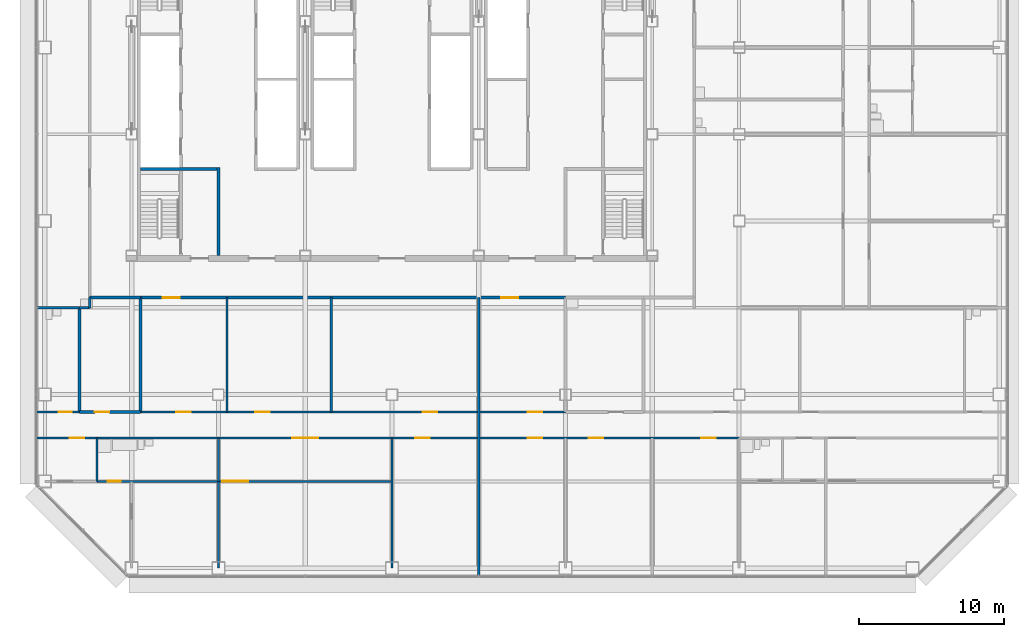
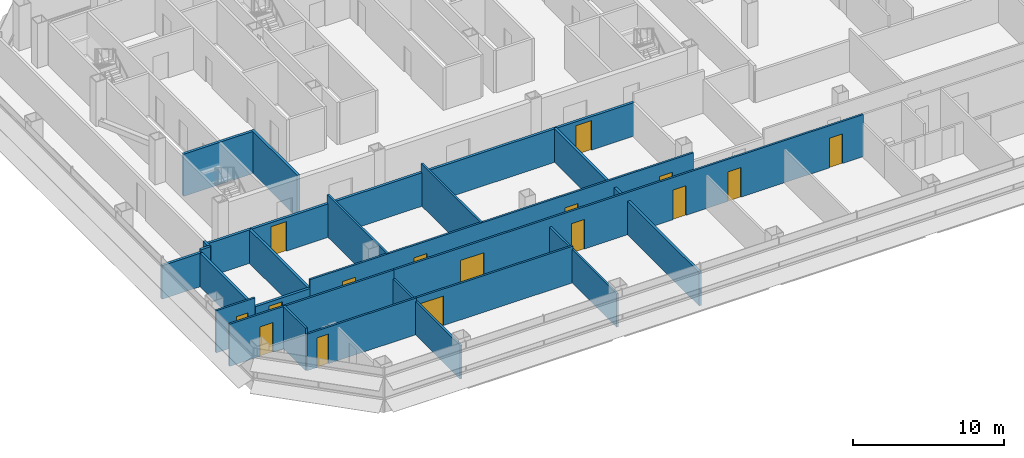
# One storey, part 20 of 27: 24 walls, 16 doors, 16 openings.
"""IFC4 building model written with IfcOpenShell, lengths in metres."""

import ifcopenshell
import ifcopenshell.guid

model = None  # the IFC model being written
_history = None  # IfcOwnerHistory: only IFC2X3 demands one
_inside = {}  # id of a spatial element -> (the spatial element, [elements in it])
_under = {}  # id of a project, library or spatial element -> (it, [spatial elements below it])
_declared = {}  # id of a project -> (the project, [libraries it declares])
_typed = {}  # id of a type object -> (the type object, [elements of that type])
_made_of = {}  # id of a material, layer set ... -> (it, [elements and type objects made of it])


def new_model(schema):
    """Start an empty IFC model of exactly this schema.

    Asked for "IFC4X3", IfcOpenShell would pick the latest addendum, in which some entities
    have other attributes; the version numbers below select the first issue.
    IFC2X3 requires an IfcOwnerHistory on every rooted entity: one is made here for all.
    """
    global model, _history
    if schema == "IFC4X3":
        model = ifcopenshell.file(schema_version=(4, 3, 0, 0))
    else:
        model = ifcopenshell.file(schema=schema)
    _inside.clear()
    _under.clear()
    _declared.clear()
    _typed.clear()
    _made_of.clear()
    _history = None
    if model.schema == "IFC2X3":
        org = make("IfcOrganization", Name="unknown")
        user = make(
            "IfcPersonAndOrganization",
            ThePerson=make("IfcPerson", FamilyName="unknown"),
            TheOrganization=org,
        )
        app = make(
            "IfcApplication",
            ApplicationDeveloper=org,
            Version="unknown",
            ApplicationFullName="unknown",
            ApplicationIdentifier="unknown",
        )
        _history = make(
            "IfcOwnerHistory",
            OwningUser=user,
            OwningApplication=app,
            ChangeAction="ADDED",
            CreationDate=0,
        )
    return model


def make(cls, **values):
    """One entity of the class cls with the attributes given. An attribute that is None is left unset."""
    return model.create_entity(
        cls, **{name: value for name, value in values.items() if value is not None}
    )


def rooted(cls, **values):
    """An entity with a GlobalId (a new one), such as an element, a storey or a relation."""
    return make(cls, GlobalId=ifcopenshell.guid.new(), OwnerHistory=_history, **values)


def si_unit(unit_type, name, prefix=None):
    """IfcSIUnit, for example si_unit("LENGTHUNIT", "METRE", prefix="MILLI")."""
    return make("IfcSIUnit", UnitType=unit_type, Prefix=prefix, Name=name)


def assignment(units):
    """IfcUnitAssignment: the units of a project."""
    return None if units is None else make("IfcUnitAssignment", Units=units)


def point(xyz):
    """IfcCartesianPoint."""
    return None if xyz is None else make("IfcCartesianPoint", Coordinates=xyz)


def direction(xyz):
    """IfcDirection."""
    return None if xyz is None else make("IfcDirection", DirectionRatios=xyz)


def frame(location, z_axis=None, x_axis=None):
    """IfcAxis2Placement3D, a coordinate frame: its origin and axes. An axis left out is left unset."""
    return make(
        "IfcAxis2Placement3D",
        Location=point(location),
        Axis=direction(z_axis),
        RefDirection=direction(x_axis),
    )


def frame_2d(location, x_axis=None):
    """IfcAxis2Placement2D, a coordinate frame in the plane: its origin and x axis."""
    return make(
        "IfcAxis2Placement2D", Location=point(location), RefDirection=direction(x_axis)
    )


def origin():
    """The frame at (0, 0, 0) with its axes left unset."""
    return frame((0.0, 0.0, 0.0))


def place(relative_to, where):
    """IfcLocalPlacement: puts the frame where relative to a parent placement (None: the world)."""
    return make(
        "IfcLocalPlacement", PlacementRelTo=relative_to, RelativePlacement=where
    )


def context(
    kind, dimensions, precision=None, world=None, true_north=None, identifier=None
):
    """IfcGeometricRepresentationContext, for example the 3D "Model" context."""
    return make(
        "IfcGeometricRepresentationContext",
        ContextIdentifier=identifier,
        ContextType=kind,
        CoordinateSpaceDimension=dimensions,
        Precision=precision,
        WorldCoordinateSystem=world,
        TrueNorth=true_north,
    )


def subcontext(parent, identifier, kind, view, scale=None):
    """IfcGeometricRepresentationSubContext, for example "Body" below "Model"."""
    return make(
        "IfcGeometricRepresentationSubContext",
        ContextIdentifier=identifier,
        ContextType=kind,
        ParentContext=parent,
        TargetScale=scale,
        TargetView=view,
    )


def project(units=None, contexts=None):
    """IfcProject with its units and contexts."""
    return rooted(
        "IfcProject",
        Name="project",
        RepresentationContexts=contexts,
        UnitsInContext=assignment(units),
    )


def spatial(cls, under=None, at=None, **own):
    """A site, building, storey or space (cls), placed at a placement, below another one or the project."""
    s = rooted(cls, ObjectPlacement=at, **own)
    if under is not None:
        _under.setdefault(under.id(), (under, []))[1].append(s)
    return s


def profile(cls, at=None, kind="AREA", **sizes):
    """A parametric profile (cls). Its sizes go by their IFC names, for example OverallWidth=200.0."""
    return make(cls, ProfileType=kind, Position=at, **sizes)


def rectangle(**sizes):
    """IfcRectangleProfileDef."""
    return profile("IfcRectangleProfileDef", **sizes)


def extrude(swept, where, along, depth):
    """IfcExtrudedAreaSolid: the profile swept, set in the frame where, extruded along a direction by depth."""
    return make(
        "IfcExtrudedAreaSolid",
        SweptArea=swept,
        Position=where,
        ExtrudedDirection=direction(along),
        Depth=depth,
    )


def shape(context_of_items, identifier, shape_type, items):
    """IfcShapeRepresentation: the items that make up one representation, for example the "Body"."""
    return make(
        "IfcShapeRepresentation",
        ContextOfItems=context_of_items,
        RepresentationIdentifier=identifier,
        RepresentationType=shape_type,
        Items=items,
    )


def material(Name=None, Category=None):
    """IfcMaterial."""
    return make("IfcMaterial", Name=Name, Category=Category)


def layer(
    of_material, thickness, ventilated=None, Name=None, Category=None, Priority=None
):
    """IfcMaterialLayer: one layer of a wall or slab, of a material (None: an air gap)."""
    return make(
        "IfcMaterialLayer",
        Material=of_material,
        LayerThickness=thickness,
        IsVentilated=ventilated,
        Name=Name,
        Category=Category,
        Priority=Priority,
    )


def layer_set(layers, Name=None):
    """IfcMaterialLayerSet."""
    return make("IfcMaterialLayerSet", MaterialLayers=layers, LayerSetName=Name)


def made_of(thing, what):
    """Note that an element or type object is made of a material, layer set ...; save() writes the relation."""
    if what is not None:
        _made_of.setdefault(what.id(), (what, []))[1].append(thing)
    return thing


def type_object(cls, material=None, **own):
    """A type object (cls), such as IfcWallType, which elements share."""
    return made_of(rooted(cls, **own), material)


def element(
    cls,
    number,
    at=None,
    inside=None,
    cuts=None,
    type_object=None,
    material=None,
    context=None,
    identifier="Body",
    shape_type=None,
    held_by="IfcProductDefinitionShape",
    body=None,
    shapes=None,
    **own,
):
    """One element of the class cls, such as IfcWall. Its Tag is "e" and its number.

    at: its placement. inside: the storey or other place that contains it. cuts: it is an
    opening in that element (IfcRelVoidsElement). A single representation is given by context,
    identifier, shape_type and body (its items); several are given by shapes. held_by: the class
    of the entity that holds the representations. save() writes the other relations.
    """
    e = rooted(cls, Tag="e%d" % number, ObjectPlacement=at, **own)
    if body is not None:
        shapes = [shape(context, identifier, shape_type, body)]
    if shapes is not None:
        e.Representation = make(held_by, Representations=shapes)
    if inside is not None:
        _inside.setdefault(inside.id(), (inside, []))[1].append(e)
    if cuts is not None:
        rooted(
            "IfcRelVoidsElement", RelatingBuildingElement=cuts, RelatedOpeningElement=e
        )
    if type_object is not None:
        _typed.setdefault(type_object.id(), (type_object, []))[1].append(e)
    return made_of(e, material)


def fill(opening, filler):
    """IfcRelFillsElement: the door or window that sits in an opening."""
    return rooted(
        "IfcRelFillsElement",
        RelatingOpeningElement=opening,
        RelatedBuildingElement=filler,
    )


def aggregate(whole, parts):
    """IfcRelAggregates: a whole, such as a stair, and the parts it consists of."""
    return rooted("IfcRelAggregates", RelatingObject=whole, RelatedObjects=parts)


def save(model, path):
    """Write the relations noted so far, then the file.

    IfcRelAggregates (storeys below a building ...), IfcRelContainedInSpatialStructure (elements
    in a storey), IfcRelDefinesByType, IfcRelAssociatesMaterial and IfcRelDeclares: one each for
    every whole, place, type object, material and project.
    """
    for whole, parts in _under.values():
        aggregate(whole, parts)
    for where, things in _inside.values():
        rooted(
            "IfcRelContainedInSpatialStructure",
            RelatedElements=things,
            RelatingStructure=where,
        )
    for kind, things in _typed.values():
        rooted("IfcRelDefinesByType", RelatedObjects=things, RelatingType=kind)
    for what, things in _made_of.values():
        rooted("IfcRelAssociatesMaterial", RelatedObjects=things, RelatingMaterial=what)
    for by, libraries in _declared.values():
        rooted("IfcRelDeclares", RelatingContext=by, RelatedDefinitions=libraries)
    model.write(path)


model = new_model("IFC4")

# Units and contexts
model_context = context("Model", 3, precision=1e-05, world=origin(), true_north=direction((0.0, 1.0)))
body_context = subcontext(model_context, "Body", "Model", "MODEL_VIEW")
ifc_project = project(units=[si_unit("LENGTHUNIT", "METRE"), si_unit("AREAUNIT", "SQUARE_METRE"), si_unit("VOLUMEUNIT", "CUBIC_METRE"), si_unit("PLANEANGLEUNIT", "RADIAN"), si_unit("MASSUNIT", "GRAM", prefix="KILO")], contexts=[model_context])

# Site, building, storey
site_placement = place(None, origin())
site = spatial("IfcSite", under=ifc_project, at=site_placement, CompositionType="ELEMENT")
building_placement = place(site_placement, origin())
building = spatial("IfcBuilding", under=site, at=building_placement, Name="Sorahane Residences", CompositionType="ELEMENT")
storey_placement = place(building_placement, frame((0.0, 0.0, 75.0)))
storey = spatial("IfcBuildingStorey", under=building, at=storey_placement, Name="L15", CompositionType="ELEMENT", Elevation=75.0)

# Wall
ifc_material_1 = material(Name="Concrete blockwork C20 wall", Category="masonry")
ifc_layer_1 = layer(ifc_material_1, 0.199951171875)
ifc_layer_set_1 = layer_set([ifc_layer_1], Name="Corridor wall 200 EI 120")
wall_type_1 = type_object("IfcWallType", Name="Corridor wall 200 EI 120", PredefinedType="SOLIDWALL", material=ifc_layer_set_1)
wall_1_placement = place(storey_placement, frame((-0.60009765625, 18.0, 0.0), z_axis=(0.0, 0.0, 1.0), x_axis=(1.0, 0.0, 0.0)))
element("IfcWall", 1, at=wall_1_placement, inside=storey, type_object=wall_type_1, Name="L15 corridor wall", PredefinedType="SOLIDWALL", context=body_context, shape_type="SweptSolid", body=[
    extrude(rectangle(XDim=3.0, YDim=0.199951171875, at=frame_2d((1.5, 0.0))), origin(), (0.0, 0.0, 1.0), 2.719970703125),
])

# Wall, openings, doors
wall_2_placement = place(storey_placement, frame((6.60009765625, 18.699951171875, 0.0), z_axis=(0.0, 0.0, 1.0), x_axis=(1.0, 0.0, 0.0)))
wall_2 = element("IfcWall", 2, at=wall_2_placement, inside=storey, type_object=wall_type_1, Name="L15 corridor wall", PredefinedType="SOLIDWALL", context=body_context, shape_type="SweptSolid", body=[
    extrude(rectangle(XDim=29.39990234375, YDim=0.199951171875, at=frame_2d((14.699951171875, 0.0))), origin(), (0.0, 0.0, 1.0), 2.719970703125),
])
opening_1_placement = place(wall_2_placement, frame((1.5400390625, 0.0, 0.0)))
opening_1 = element("IfcOpeningElement", 3, at=opening_1_placement, cuts=wall_2, Name="Opening L15-38", PredefinedType="OPENING", context=body_context, shape_type="SweptSolid", body=[
    extrude(rectangle(XDim=1.199951171875, YDim=2.39990234375, at=frame_2d((0.60009765625, 1.199951171875))), frame((0.0, 0.10986328125, 0.0), z_axis=(0.0, -1.0, 0.0), x_axis=(1.0, 0.0, 0.0)), (0.0, 0.0, 1.0), 0.219970703125),
])
opening_2_placement = place(wall_2_placement, frame((24.93994140625, 0.0, 0.0)))
opening_2 = element("IfcOpeningElement", 4, at=opening_2_placement, cuts=wall_2, Name="Opening L15-39", PredefinedType="OPENING", context=body_context, shape_type="SweptSolid", body=[
    extrude(rectangle(XDim=1.199951171875, YDim=2.39990234375, at=frame_2d((0.60009765625, 1.199951171875))), frame((0.0, 0.10986328125, 0.0), z_axis=(0.0, -1.0, 0.0), x_axis=(1.0, 0.0, 0.0)), (0.0, 0.0, 1.0), 0.219970703125),
])
ifc_material_2 = material(Name="Timber veneered fire door", Category="wood")
door_type_1 = type_object("IfcDoorType", Name="Flat entrance door 1200x2400 FD60", OperationType="NOTDEFINED", PredefinedType="DOOR", material=ifc_material_2)
door_1_placement = place(opening_1_placement, frame((1.199951171875, 0.0, 0.0), z_axis=(0.0, 0.0, 1.0), x_axis=(-1.0, 0.0, 0.0)))
door_1 = element("IfcDoor", 5, at=door_1_placement, inside=storey, type_object=door_type_1, Name="Flat entrance door L15-38", OperationType="SINGLE_SWING_RIGHT", OverallHeight=2.39990234375, OverallWidth=1.199951171875, PredefinedType="DOOR", context=body_context, shape_type="SweptSolid", body=[
    extrude(rectangle(XDim=1.199951171875, YDim=2.39990234375, at=frame_2d((0.60009765625, 1.199951171875))), frame((0.0, 0.02490234375, 0.0), z_axis=(0.0, -1.0, 0.0), x_axis=(1.0, 0.0, 0.0)), (0.0, 0.0, 1.0), 0.050048828125),
])
fill(opening_1, door_1)
door_2_placement = place(opening_2_placement, frame((1.199951171875, 0.0, 0.0), z_axis=(0.0, 0.0, 1.0), x_axis=(-1.0, 0.0, 0.0)))
door_2 = element("IfcDoor", 6, at=door_2_placement, inside=storey, type_object=door_type_1, Name="Flat entrance door L15-39", OperationType="SINGLE_SWING_LEFT", OverallHeight=2.39990234375, OverallWidth=1.199951171875, PredefinedType="DOOR", context=body_context, shape_type="SweptSolid", body=[
    extrude(rectangle(XDim=1.199951171875, YDim=2.39990234375, at=frame_2d((0.60009765625, 1.199951171875))), frame((0.0, 0.02490234375, 0.0), z_axis=(0.0, -1.0, 0.0), x_axis=(1.0, 0.0, 0.0)), (0.0, 0.0, 1.0), 0.050048828125),
])
fill(opening_2, door_2)

# Walls
ifc_material_3 = material(Name="Concrete C30", Category="concrete")
ifc_layer_2 = layer(ifc_material_3, 0.199951171875)
ifc_layer_set_2 = layer_set([ifc_layer_2], Name="Front room wall 200 EI 120")
wall_type_2 = type_object("IfcWallType", Name="Front room wall 200 EI 120", PredefinedType="PARTITIONING", material=ifc_layer_set_2)
wall_3_placement = place(storey_placement, frame((12.0, 21.60009765625, 0.0), z_axis=(0.0, 0.0, 1.0), x_axis=(0.0, 1.0, 0.0)))
element("IfcWall", 7, at=wall_3_placement, inside=storey, type_object=wall_type_2, Name="L15 front room wall", PredefinedType="PARTITIONING", context=body_context, shape_type="SweptSolid", body=[
    extrude(rectangle(XDim=6.099853515625, YDim=0.199951171875, at=frame_2d((3.0498046875, 0.0))), origin(), (0.0, 0.0, 1.0), 3.419921875),
])
ifc_material_4 = material(Name="Concrete blockwork C20 wall", Category="masonry")
ifc_layer_3 = layer(ifc_material_4, 0.199951171875)
ifc_layer_set_3 = layer_set([ifc_layer_3], Name="Kitchen wall 200 EI 180")
wall_type_3 = type_object("IfcWallType", Name="Kitchen wall 200 EI 180", PredefinedType="SOLIDWALL", material=ifc_layer_set_3)
wall_4_placement = place(storey_placement, frame((2.39990234375, 10.800048828125, 0.0), z_axis=(0.0, 0.0, 1.0), x_axis=(0.0, 1.0, 0.0)))
element("IfcWall", 8, at=wall_4_placement, inside=storey, type_object=wall_type_3, Name="L15 kitchen wall", PredefinedType="SOLIDWALL", context=body_context, shape_type="SweptSolid", body=[
    extrude(rectangle(XDim=7.199951171875, YDim=0.199951171875, at=frame_2d((3.60009765625, 0.0))), origin(), (0.0, 0.0, 1.0), 2.719970703125),
])
wall_5_placement = place(storey_placement, frame((3.10009765625, 18.0, 0.0), z_axis=(0.0, 0.0, 1.0), x_axis=(0.0, 1.0, 0.0)))
element("IfcWall", 9, at=wall_5_placement, inside=storey, type_object=wall_type_3, Name="L15 kitchen wall", PredefinedType="SOLIDWALL", context=body_context, shape_type="SweptSolid", body=[
    extrude(rectangle(XDim=0.699951171875, YDim=0.199951171875, at=frame_2d((0.35009765625, 0.0))), origin(), (0.0, 0.0, 1.0), 2.969970703125),
])
wall_6_placement = place(storey_placement, frame((6.60009765625, 10.800048828125, 0.0), z_axis=(0.0, 0.0, 1.0), x_axis=(0.0, 1.0, 0.0)))
element("IfcWall", 10, at=wall_6_placement, inside=storey, type_object=wall_type_3, Name="L15 kitchen wall", PredefinedType="SOLIDWALL", context=body_context, shape_type="SweptSolid", body=[
    extrude(rectangle(XDim=7.89990234375, YDim=0.199951171875, at=frame_2d((3.949951171875, 0.0))), origin(), (0.0, 0.0, 1.0), 2.719970703125),
])

# Wall, opening, door
wall_7_placement = place(storey_placement, frame((2.39990234375, 10.800048828125, 0.0), z_axis=(0.0, 0.0, 1.0), x_axis=(1.0, 0.0, 0.0)))
wall_7 = element("IfcWall", 11, at=wall_7_placement, inside=storey, type_object=wall_type_3, Name="L15 kitchen wall", PredefinedType="SOLIDWALL", context=body_context, shape_type="SweptSolid", body=[
    extrude(rectangle(XDim=4.2001953125, YDim=0.199951171875, at=frame_2d((2.10009765625, 0.0))), origin(), (0.0, 0.0, 1.0), 2.719970703125),
])
opening_3_placement = place(wall_7_placement, frame((1.06005859375, 0.0, 0.0)))
opening_3 = element("IfcOpeningElement", 12, at=opening_3_placement, cuts=wall_7, Name="Opening L15-03", PredefinedType="OPENING", context=body_context, shape_type="SweptSolid", body=[
    extrude(rectangle(XDim=1.0, YDim=2.39990234375, at=frame_2d((0.5, 1.199951171875))), frame((0.0, 0.10986328125, 0.0), z_axis=(0.0, -1.0, 0.0), x_axis=(1.0, 0.0, 0.0)), (0.0, 0.0, 1.0), 0.219970703125),
])
ifc_material_5 = material(Name="Steel", Category="steel")
door_type_2 = type_object("IfcDoorType", Name="Kitchen door 1000x2400 FD120", OperationType="NOTDEFINED", PredefinedType="DOOR", material=ifc_material_5)
door_3_placement = place(opening_3_placement, origin())
door_3 = element("IfcDoor", 13, at=door_3_placement, inside=storey, type_object=door_type_2, Name="Kitchen door L15-03", OperationType="SINGLE_SWING_RIGHT", OverallHeight=2.39990234375, OverallWidth=1.0, PredefinedType="DOOR", context=body_context, shape_type="SweptSolid", body=[
    extrude(rectangle(XDim=1.0, YDim=2.39990234375, at=frame_2d((0.5, 1.199951171875))), frame((0.0, 0.02490234375, 0.0), z_axis=(0.0, -1.0, 0.0), x_axis=(1.0, 0.0, 0.0)), (0.0, 0.0, 1.0), 0.050048828125),
])
fill(opening_3, door_3)

# Walls
wall_8_placement = place(storey_placement, frame((2.39990234375, 18.0, 0.0), z_axis=(0.0, 0.0, 1.0), x_axis=(1.0, 0.0, 0.0)))
element("IfcWall", 14, at=wall_8_placement, inside=storey, type_object=wall_type_3, Name="L15 kitchen wall", PredefinedType="SOLIDWALL", context=body_context, shape_type="SweptSolid", body=[
    extrude(rectangle(XDim=0.7001953125, YDim=0.199951171875, at=frame_2d((0.35009765625, 0.0))), origin(), (0.0, 0.0, 1.0), 2.969970703125),
])
wall_9_placement = place(storey_placement, frame((3.10009765625, 18.699951171875, 0.0), z_axis=(0.0, 0.0, 1.0), x_axis=(1.0, 0.0, 0.0)))
element("IfcWall", 15, at=wall_9_placement, inside=storey, type_object=wall_type_3, Name="L15 kitchen wall", PredefinedType="SOLIDWALL", context=body_context, shape_type="SweptSolid", body=[
    extrude(rectangle(XDim=3.5, YDim=0.199951171875, at=frame_2d((1.75, 0.0))), origin(), (0.0, 0.0, 1.0), 2.719970703125),
])
ifc_material_6 = material(Name="Gypsum board partition on steel studs", Category="steel")
ifc_layer_4 = layer(ifc_material_6, 0.14990234375)
ifc_layer_set_4 = layer_set([ifc_layer_4], Name="Partition 150 EI 90")
wall_type_4 = type_object("IfcWallType", Name="Partition 150 EI 90", PredefinedType="PARTITIONING", material=ifc_layer_set_4)
wall_10_placement = place(storey_placement, frame((12.0, 0.0, 0.0), z_axis=(0.0, 0.0, 1.0), x_axis=(0.0, 1.0, 0.0)))
element("IfcWall", 16, at=wall_10_placement, inside=storey, type_object=wall_type_4, Name="L15 partition", PredefinedType="PARTITIONING", context=body_context, shape_type="SweptSolid", body=[
    extrude(rectangle(XDim=6.0, YDim=0.14990234375, at=frame_2d((3.0, 0.0))), origin(), (0.0, 0.0, 1.0), 2.719970703125),
])
for number, where, z_axis, x_axis, name in (
    (17, (12.60009765625, 10.800048828125, 0.0), (0.0, 0.0, 1.0), (0.0, 1.0, 0.0), "L15 partition"),
    (18, (19.800048828125, 10.800048828125, 0.0), (0.0, 0.0, 1.0), (0.0, 1.0, 0.0), "L15 partition"),
):
    element("IfcWall", number, at=place(storey_placement, frame(where, z_axis=z_axis, x_axis=x_axis)), inside=storey, type_object=wall_type_4, Name=name, PredefinedType="PARTITIONING", context=body_context, shape_type="SweptSolid", body=[
        extrude(rectangle(XDim=7.89990234375, YDim=0.14990234375, at=frame_2d((3.949951171875, 0.0))), origin(), (0.0, 0.0, 1.0), 3.419921875),
    ])
wall_11_placement = place(storey_placement, frame((24.0, 0.0, 0.0), z_axis=(0.0, 0.0, 1.0), x_axis=(0.0, 1.0, 0.0)))
element("IfcWall", 19, at=wall_11_placement, inside=storey, type_object=wall_type_4, Name="L15 partition", PredefinedType="PARTITIONING", context=body_context, shape_type="SweptSolid", body=[
    extrude(rectangle(XDim=9.0, YDim=0.14990234375, at=frame_2d((4.5, 0.0))), origin(), (0.0, 0.0, 1.0), 2.719970703125),
])

# Wall, openings, doors
wall_12_placement = place(storey_placement, frame((6.60009765625, 10.800048828125, 0.0), z_axis=(0.0, 0.0, 1.0), x_axis=(1.0, 0.0, 0.0)))
wall_12 = element("IfcWall", 20, at=wall_12_placement, inside=storey, type_object=wall_type_4, Name="L15 partition", PredefinedType="PARTITIONING", context=body_context, shape_type="SweptSolid", body=[
    extrude(rectangle(XDim=29.39990234375, YDim=0.14990234375, at=frame_2d((14.699951171875, 0.0))), origin(), (0.0, 0.0, 1.0), 3.419921875),
])
opening_4_placement = place(wall_12_placement, frame((2.5, 0.0, 0.0)))
opening_4 = element("IfcOpeningElement", 21, at=opening_4_placement, cuts=wall_12, Name="Opening L15-01", PredefinedType="OPENING", context=body_context, shape_type="SweptSolid", body=[
    extrude(rectangle(XDim=1.0, YDim=2.39990234375, at=frame_2d((0.5, 1.199951171875))), frame((0.0, 0.0849609375, 0.0), z_axis=(0.0, -1.0, 0.0), x_axis=(1.0, 0.0, 0.0)), (0.0, 0.0, 1.0), 0.169921875),
])
opening_5_placement = place(wall_12_placement, frame((7.9599609375, 0.0, 0.0)))
opening_5 = element("IfcOpeningElement", 22, at=opening_5_placement, cuts=wall_12, Name="Opening L15-04", PredefinedType="OPENING", context=body_context, shape_type="SweptSolid", body=[
    extrude(rectangle(XDim=1.0, YDim=2.39990234375, at=frame_2d((0.5, 1.199951171875))), frame((0.0, 0.0849609375, 0.0), z_axis=(0.0, -1.0, 0.0), x_axis=(1.0, 0.0, 0.0)), (0.0, 0.0, 1.0), 0.169921875),
])
opening_6_placement = place(wall_12_placement, frame((19.5400390625, 0.0, 0.0)))
opening_6 = element("IfcOpeningElement", 23, at=opening_6_placement, cuts=wall_12, Name="Opening L15-05", PredefinedType="OPENING", context=body_context, shape_type="SweptSolid", body=[
    extrude(rectangle(XDim=1.0, YDim=2.39990234375, at=frame_2d((0.5, 1.199951171875))), frame((0.0, 0.0849609375, 0.0), z_axis=(0.0, -1.0, 0.0), x_axis=(1.0, 0.0, 0.0)), (0.0, 0.0, 1.0), 0.169921875),
])
opening_7_placement = place(wall_12_placement, frame((26.800048828125, 0.0, 0.0)))
opening_7 = element("IfcOpeningElement", 24, at=opening_7_placement, cuts=wall_12, Name="Opening L15-13", PredefinedType="OPENING", context=body_context, shape_type="SweptSolid", body=[
    extrude(rectangle(XDim=1.0, YDim=2.39990234375, at=frame_2d((0.5, 1.199951171875))), frame((0.0, 0.0849609375, 0.0), z_axis=(0.0, -1.0, 0.0), x_axis=(1.0, 0.0, 0.0)), (0.0, 0.0, 1.0), 0.169921875),
])
ifc_material_7 = material(Name="Timber veneered fire door", Category="wood")
door_type_3 = type_object("IfcDoorType", Name="Room door 1000x2400 FD30", OperationType="NOTDEFINED", PredefinedType="DOOR", material=ifc_material_7)
door_4_placement = place(opening_4_placement, frame((1.0, 0.0, 0.0), z_axis=(0.0, 0.0, 1.0), x_axis=(-1.0, 0.0, 0.0)))
door_4 = element("IfcDoor", 25, at=door_4_placement, inside=storey, type_object=door_type_3, Name="Room door L15-01", OperationType="SINGLE_SWING_LEFT", OverallHeight=2.39990234375, OverallWidth=1.0, PredefinedType="DOOR", context=body_context, shape_type="SweptSolid", body=[
    extrude(rectangle(XDim=1.0, YDim=2.39990234375, at=frame_2d((0.5, 1.199951171875))), frame((0.0, 0.02490234375, 0.0), z_axis=(0.0, -1.0, 0.0), x_axis=(1.0, 0.0, 0.0)), (0.0, 0.0, 1.0), 0.050048828125),
])
fill(opening_4, door_4)
door_5_placement = place(opening_5_placement, origin())
door_5 = element("IfcDoor", 26, at=door_5_placement, inside=storey, type_object=door_type_3, Name="Room door L15-04", OperationType="SINGLE_SWING_RIGHT", OverallHeight=2.39990234375, OverallWidth=1.0, PredefinedType="DOOR", context=body_context, shape_type="SweptSolid", body=[
    extrude(rectangle(XDim=1.0, YDim=2.39990234375, at=frame_2d((0.5, 1.199951171875))), frame((0.0, 0.02490234375, 0.0), z_axis=(0.0, -1.0, 0.0), x_axis=(1.0, 0.0, 0.0)), (0.0, 0.0, 1.0), 0.050048828125),
])
fill(opening_5, door_5)
door_6_placement = place(opening_6_placement, origin())
door_6 = element("IfcDoor", 27, at=door_6_placement, inside=storey, type_object=door_type_3, Name="Room door L15-05", OperationType="SINGLE_SWING_LEFT", OverallHeight=2.39990234375, OverallWidth=1.0, PredefinedType="DOOR", context=body_context, shape_type="SweptSolid", body=[
    extrude(rectangle(XDim=1.0, YDim=2.39990234375, at=frame_2d((0.5, 1.199951171875))), frame((0.0, 0.02490234375, 0.0), z_axis=(0.0, -1.0, 0.0), x_axis=(1.0, 0.0, 0.0)), (0.0, 0.0, 1.0), 0.050048828125),
])
fill(opening_6, door_6)
door_7_placement = place(opening_7_placement, frame((1.0, 0.0, 0.0), z_axis=(0.0, 0.0, 1.0), x_axis=(-1.0, 0.0, 0.0)))
door_7 = element("IfcDoor", 28, at=door_7_placement, inside=storey, type_object=door_type_3, Name="Room door L15-13", OperationType="SINGLE_SWING_LEFT", OverallHeight=2.39990234375, OverallWidth=1.0, PredefinedType="DOOR", context=body_context, shape_type="SweptSolid", body=[
    extrude(rectangle(XDim=1.0, YDim=2.39990234375, at=frame_2d((0.5, 1.199951171875))), frame((0.0, 0.02490234375, 0.0), z_axis=(0.0, -1.0, 0.0), x_axis=(1.0, 0.0, 0.0)), (0.0, 0.0, 1.0), 0.050048828125),
])
fill(opening_7, door_7)

# Wall, opening, door
wall_13_placement = place(storey_placement, frame((12.0, 6.0, 0.0), z_axis=(0.0, 0.0, 1.0), x_axis=(1.0, 0.0, 0.0)))
wall_13 = element("IfcWall", 29, at=wall_13_placement, inside=storey, type_object=wall_type_4, Name="L15 partition", PredefinedType="PARTITIONING", context=body_context, shape_type="SweptSolid", body=[
    extrude(rectangle(XDim=12.0, YDim=0.14990234375, at=frame_2d((6.0, 0.0))), origin(), (0.0, 0.0, 1.0), 2.969970703125),
])
opening_8_placement = place(wall_13_placement, frame((0.25, 0.0, 0.0)))
opening_8 = element("IfcOpeningElement", 30, at=opening_8_placement, cuts=wall_13, Name="Opening L15-12", PredefinedType="OPENING", context=body_context, shape_type="SweptSolid", body=[
    extrude(rectangle(XDim=1.800048828125, YDim=2.39990234375, at=frame_2d((0.89990234375, 1.199951171875))), frame((0.0, 0.0849609375, 0.0), z_axis=(0.0, -1.0, 0.0), x_axis=(1.0, 0.0, 0.0)), (0.0, 0.0, 1.0), 0.169921875),
])
ifc_material_8 = material(Name="Timber veneered fire door", Category="wood")
door_type_4 = type_object("IfcDoorType", Name="Double door 1800x2400 FD30", OperationType="NOTDEFINED", PredefinedType="DOOR", material=ifc_material_8)
door_8_placement = place(opening_8_placement, frame((1.800048828125, 0.0, 0.0), z_axis=(0.0, 0.0, 1.0), x_axis=(-1.0, 0.0, 0.0)))
door_8 = element("IfcDoor", 31, at=door_8_placement, inside=storey, type_object=door_type_4, Name="Double door L15-12", OperationType="SINGLE_SWING_RIGHT", OverallHeight=2.39990234375, OverallWidth=1.800048828125, PredefinedType="DOOR", context=body_context, shape_type="SweptSolid", body=[
    extrude(rectangle(XDim=1.800048828125, YDim=2.39990234375, at=frame_2d((0.89990234375, 1.199951171875))), frame((0.0, 0.02490234375, 0.0), z_axis=(0.0, -1.0, 0.0), x_axis=(1.0, 0.0, 0.0)), (0.0, 0.0, 1.0), 0.050048828125),
])
fill(opening_8, door_8)

wall_14_placement = place(storey_placement, frame((-0.60009765625, 9.0, 0.0), z_axis=(0.0, 0.0, 1.0), x_axis=(1.0, 0.0, 0.0)))
wall_14 = element("IfcWall", 32, at=wall_14_placement, inside=storey, type_object=wall_type_4, Name="L15 partition", PredefinedType="PARTITIONING", context=body_context, shape_type="SweptSolid", body=[
    extrude(rectangle(XDim=4.2001953125, YDim=0.14990234375, at=frame_2d((2.10009765625, 0.0))), origin(), (0.0, 0.0, 1.0), 3.419921875),
])
opening_9_placement = place(wall_14_placement, frame((2.320068359375, 0.0, 0.0)))
opening_9 = element("IfcOpeningElement", 33, at=opening_9_placement, cuts=wall_14, Name="Opening L15-06", PredefinedType="OPENING", context=body_context, shape_type="SweptSolid", body=[
    extrude(rectangle(XDim=1.0, YDim=2.39990234375, at=frame_2d((0.5, 1.199951171875))), frame((0.0, 0.0849609375, 0.0), z_axis=(0.0, -1.0, 0.0), x_axis=(1.0, 0.0, 0.0)), (0.0, 0.0, 1.0), 0.169921875),
])
door_9_placement = place(opening_9_placement, frame((1.0, 0.0, 0.0), z_axis=(0.0, 0.0, 1.0), x_axis=(-1.0, 0.0, 0.0)))
door_9 = element("IfcDoor", 34, at=door_9_placement, inside=storey, type_object=door_type_3, Name="Room door L15-06", OperationType="SINGLE_SWING_LEFT", OverallHeight=2.39990234375, OverallWidth=1.0, PredefinedType="DOOR", context=body_context, shape_type="SweptSolid", body=[
    extrude(rectangle(XDim=1.0, YDim=2.39990234375, at=frame_2d((0.5, 1.199951171875))), frame((0.0, 0.02490234375, 0.0), z_axis=(0.0, -1.0, 0.0), x_axis=(1.0, 0.0, 0.0)), (0.0, 0.0, 1.0), 0.050048828125),
])
fill(opening_9, door_9)

# Wall, openings, doors
wall_15_placement = place(storey_placement, frame((12.0, 9.0, 0.0), z_axis=(0.0, 0.0, 1.0), x_axis=(1.0, 0.0, 0.0)))
wall_15 = element("IfcWall", 35, at=wall_15_placement, inside=storey, type_object=wall_type_4, Name="L15 partition", PredefinedType="PARTITIONING", context=body_context, shape_type="SweptSolid", body=[
    extrude(rectangle(XDim=36.0, YDim=0.14990234375, at=frame_2d((18.0, 0.0))), origin(), (0.0, 0.0, 1.0), 3.419921875),
])
opening_10_placement = place(wall_15_placement, frame((5.10009765625, 0.0, 0.0)))
opening_10 = element("IfcOpeningElement", 36, at=opening_10_placement, cuts=wall_15, Name="Opening L15-07", PredefinedType="OPENING", context=body_context, shape_type="SweptSolid", body=[
    extrude(rectangle(XDim=1.800048828125, YDim=2.39990234375, at=frame_2d((0.89990234375, 1.199951171875))), frame((0.0, 0.0849609375, 0.0), z_axis=(0.0, -1.0, 0.0), x_axis=(1.0, 0.0, 0.0)), (0.0, 0.0, 1.0), 0.169921875),
])
opening_11_placement = place(wall_15_placement, frame((13.60009765625, 0.0, 0.0)))
opening_11 = element("IfcOpeningElement", 37, at=opening_11_placement, cuts=wall_15, Name="Opening L15-08", PredefinedType="OPENING", context=body_context, shape_type="SweptSolid", body=[
    extrude(rectangle(XDim=1.0, YDim=2.39990234375, at=frame_2d((0.5, 1.199951171875))), frame((0.0, 0.0849609375, 0.0), z_axis=(0.0, -1.0, 0.0), x_axis=(1.0, 0.0, 0.0)), (0.0, 0.0, 1.0), 0.169921875),
])
opening_12_placement = place(wall_15_placement, frame((21.39990234375, 0.0, 0.0)))
opening_12 = element("IfcOpeningElement", 38, at=opening_12_placement, cuts=wall_15, Name="Opening L15-18", PredefinedType="OPENING", context=body_context, shape_type="SweptSolid", body=[
    extrude(rectangle(XDim=1.0, YDim=2.39990234375, at=frame_2d((0.5, 1.199951171875))), frame((0.0, 0.0849609375, 0.0), z_axis=(0.0, -1.0, 0.0), x_axis=(1.0, 0.0, 0.0)), (0.0, 0.0, 1.0), 0.169921875),
])
opening_13_placement = place(wall_15_placement, frame((25.60009765625, 0.0, 0.0)))
opening_13 = element("IfcOpeningElement", 39, at=opening_13_placement, cuts=wall_15, Name="Opening L15-19", PredefinedType="OPENING", context=body_context, shape_type="SweptSolid", body=[
    extrude(rectangle(XDim=1.0, YDim=2.39990234375, at=frame_2d((0.5, 1.199951171875))), frame((0.0, 0.0849609375, 0.0), z_axis=(0.0, -1.0, 0.0), x_axis=(1.0, 0.0, 0.0)), (0.0, 0.0, 1.0), 0.169921875),
])
opening_14_placement = place(wall_15_placement, frame((33.39990234375, 0.0, 0.0)))
opening_14 = element("IfcOpeningElement", 40, at=opening_14_placement, cuts=wall_15, Name="Opening L15-20", PredefinedType="OPENING", context=body_context, shape_type="SweptSolid", body=[
    extrude(rectangle(XDim=1.0, YDim=2.39990234375, at=frame_2d((0.5, 1.199951171875))), frame((0.0, 0.0849609375, 0.0), z_axis=(0.0, -1.0, 0.0), x_axis=(1.0, 0.0, 0.0)), (0.0, 0.0, 1.0), 0.169921875),
])
door_10_placement = place(opening_10_placement, frame((1.800048828125, 0.0, 0.0), z_axis=(0.0, 0.0, 1.0), x_axis=(-1.0, 0.0, 0.0)))
door_10 = element("IfcDoor", 41, at=door_10_placement, inside=storey, type_object=door_type_4, Name="Double door L15-07", OperationType="SINGLE_SWING_LEFT", OverallHeight=2.39990234375, OverallWidth=1.800048828125, PredefinedType="DOOR", context=body_context, shape_type="SweptSolid", body=[
    extrude(rectangle(XDim=1.800048828125, YDim=2.39990234375, at=frame_2d((0.89990234375, 1.199951171875))), frame((0.0, 0.02490234375, 0.0), z_axis=(0.0, -1.0, 0.0), x_axis=(1.0, 0.0, 0.0)), (0.0, 0.0, 1.0), 0.050048828125),
])
fill(opening_10, door_10)
door_11_placement = place(opening_11_placement, frame((1.0, 0.0, 0.0), z_axis=(0.0, 0.0, 1.0), x_axis=(-1.0, 0.0, 0.0)))
door_11 = element("IfcDoor", 42, at=door_11_placement, inside=storey, type_object=door_type_3, Name="Room door L15-08", OperationType="SINGLE_SWING_LEFT", OverallHeight=2.39990234375, OverallWidth=1.0, PredefinedType="DOOR", context=body_context, shape_type="SweptSolid", body=[
    extrude(rectangle(XDim=1.0, YDim=2.39990234375, at=frame_2d((0.5, 1.199951171875))), frame((0.0, 0.02490234375, 0.0), z_axis=(0.0, -1.0, 0.0), x_axis=(1.0, 0.0, 0.0)), (0.0, 0.0, 1.0), 0.050048828125),
])
fill(opening_11, door_11)
door_12_placement = place(opening_12_placement, frame((1.0, 0.0, 0.0), z_axis=(0.0, 0.0, 1.0), x_axis=(-1.0, 0.0, 0.0)))
door_12 = element("IfcDoor", 43, at=door_12_placement, inside=storey, type_object=door_type_3, Name="Room door L15-18", OperationType="SINGLE_SWING_RIGHT", OverallHeight=2.39990234375, OverallWidth=1.0, PredefinedType="DOOR", context=body_context, shape_type="SweptSolid", body=[
    extrude(rectangle(XDim=1.0, YDim=2.39990234375, at=frame_2d((0.5, 1.199951171875))), frame((0.0, 0.02490234375, 0.0), z_axis=(0.0, -1.0, 0.0), x_axis=(1.0, 0.0, 0.0)), (0.0, 0.0, 1.0), 0.050048828125),
])
fill(opening_12, door_12)
door_13_placement = place(opening_13_placement, frame((1.0, 0.0, 0.0), z_axis=(0.0, 0.0, 1.0), x_axis=(-1.0, 0.0, 0.0)))
door_13 = element("IfcDoor", 44, at=door_13_placement, inside=storey, type_object=door_type_3, Name="Room door L15-19", OperationType="SINGLE_SWING_LEFT", OverallHeight=2.39990234375, OverallWidth=1.0, PredefinedType="DOOR", context=body_context, shape_type="SweptSolid", body=[
    extrude(rectangle(XDim=1.0, YDim=2.39990234375, at=frame_2d((0.5, 1.199951171875))), frame((0.0, 0.02490234375, 0.0), z_axis=(0.0, -1.0, 0.0), x_axis=(1.0, 0.0, 0.0)), (0.0, 0.0, 1.0), 0.050048828125),
])
fill(opening_13, door_13)
door_14_placement = place(opening_14_placement, frame((1.0, 0.0, 0.0), z_axis=(0.0, 0.0, 1.0), x_axis=(-1.0, 0.0, 0.0)))
door_14 = element("IfcDoor", 45, at=door_14_placement, inside=storey, type_object=door_type_3, Name="Room door L15-20", OperationType="SINGLE_SWING_LEFT", OverallHeight=2.39990234375, OverallWidth=1.0, PredefinedType="DOOR", context=body_context, shape_type="SweptSolid", body=[
    extrude(rectangle(XDim=1.0, YDim=2.39990234375, at=frame_2d((0.5, 1.199951171875))), frame((0.0, 0.02490234375, 0.0), z_axis=(0.0, -1.0, 0.0), x_axis=(1.0, 0.0, 0.0)), (0.0, 0.0, 1.0), 0.050048828125),
])
fill(opening_14, door_14)

# Walls
ifc_material_9 = material(Name="Concrete blockwork C20 wall", Category="masonry")
ifc_layer_5 = layer(ifc_material_9, 0.199951171875)
ifc_layer_set_5 = layer_set([ifc_layer_5], Name="Party wall 200 EI 120")
wall_type_5 = type_object("IfcWallType", Name="Party wall 200 EI 120", PredefinedType="SOLIDWALL", material=ifc_layer_set_5)
wall_16_placement = place(storey_placement, frame((30.0, -0.60009765625, 0.0), z_axis=(0.0, 0.0, 1.0), x_axis=(0.0, 1.0, 0.0)))
element("IfcWall", 46, at=wall_16_placement, inside=storey, type_object=wall_type_5, Name="L15 party wall", PredefinedType="SOLIDWALL", context=body_context, shape_type="SweptSolid", body=[
    extrude(rectangle(XDim=19.300048828125, YDim=0.199951171875, at=frame_2d((9.64990234375, 0.0))), origin(), (0.0, 0.0, 1.0), 2.719970703125),
])
ifc_material_10 = material(Name="Concrete C30", Category="concrete")
ifc_layer_6 = layer(ifc_material_10, 0.199951171875)
ifc_layer_set_6 = layer_set([ifc_layer_6], Name="Stair enclosure wall 200 EI 120")
wall_type_6 = type_object("IfcWallType", Name="Stair enclosure wall 200 EI 120", PredefinedType="SOLIDWALL", material=ifc_layer_set_6)
wall_17_placement = place(storey_placement, frame((6.60009765625, 27.60009765625, 0.0), z_axis=(0.0, 0.0, 1.0), x_axis=(1.0, 0.0, 0.0)))
element("IfcWall", 47, at=wall_17_placement, inside=storey, type_object=wall_type_6, Name="L15 stair enclosure wall", PredefinedType="SOLIDWALL", context=body_context, shape_type="SweptSolid", body=[
    extrude(rectangle(XDim=5.2998046875, YDim=0.199951171875, at=frame_2d((2.64990234375, 0.0))), origin(), (0.0, 0.0, 1.0), 3.419921875),
])
ifc_material_11 = material(Name="Gypsum board partition on steel studs", Category="steel")
ifc_layer_7 = layer(ifc_material_11, 0.14990234375)
ifc_layer_set_7 = layer_set([ifc_layer_7], Name="Wet wall 150 EI 90")
wall_type_7 = type_object("IfcWallType", Name="Wet wall 150 EI 90", PredefinedType="PARTITIONING", material=ifc_layer_set_7)
wall_18_placement = place(storey_placement, frame((12.0, 6.0, 0.0), z_axis=(0.0, 0.0, 1.0), x_axis=(0.0, 1.0, 0.0)))
element("IfcWall", 48, at=wall_18_placement, inside=storey, type_object=wall_type_7, Name="L15 wet wall", PredefinedType="PARTITIONING", context=body_context, shape_type="SweptSolid", body=[
    extrude(rectangle(XDim=3.0, YDim=0.14990234375, at=frame_2d((1.5, 0.0))), origin(), (0.0, 0.0, 1.0), 2.719970703125),
])
wall_19_placement = place(storey_placement, frame((3.60009765625, 6.0, 0.0), z_axis=(0.0, 0.0, 1.0), x_axis=(0.0, 1.0, 0.0)))
element("IfcWall", 49, at=wall_19_placement, inside=storey, type_object=wall_type_7, Name="L15 wet wall", PredefinedType="PARTITIONING", context=body_context, shape_type="SweptSolid", body=[
    extrude(rectangle(XDim=3.0, YDim=0.14990234375, at=frame_2d((1.5, 0.0))), origin(), (0.0, 0.0, 1.0), 3.419921875),
])

# Wall, opening, door
wall_20_placement = place(storey_placement, frame((-0.60009765625, 10.800048828125, 0.0), z_axis=(0.0, 0.0, 1.0), x_axis=(1.0, 0.0, 0.0)))
wall_20 = element("IfcWall", 50, at=wall_20_placement, inside=storey, type_object=wall_type_7, Name="L15 wet wall", PredefinedType="PARTITIONING", context=body_context, shape_type="SweptSolid", body=[
    extrude(rectangle(XDim=3.0, YDim=0.14990234375, at=frame_2d((1.5, 0.0))), origin(), (0.0, 0.0, 1.0), 3.419921875),
])
opening_15_placement = place(wall_20_placement, frame((1.550048828125, 0.0, 0.0)))
opening_15 = element("IfcOpeningElement", 51, at=opening_15_placement, cuts=wall_20, Name="Opening L15-02", PredefinedType="OPENING", context=body_context, shape_type="SweptSolid", body=[
    extrude(rectangle(XDim=0.89990234375, YDim=2.39990234375, at=frame_2d((0.449951171875, 1.199951171875))), frame((0.0, 0.0849609375, 0.0), z_axis=(0.0, -1.0, 0.0), x_axis=(1.0, 0.0, 0.0)), (0.0, 0.0, 1.0), 0.169921875),
])
ifc_material_12 = material(Name="Timber veneered fire door", Category="wood")
door_type_5 = type_object("IfcDoorType", Name="Bathroom door 900x2400 FD30", OperationType="NOTDEFINED", PredefinedType="DOOR", material=ifc_material_12)
door_15_placement = place(opening_15_placement, frame((0.89990234375, 0.0, 0.0), z_axis=(0.0, 0.0, 1.0), x_axis=(-1.0, 0.0, 0.0)))
door_15 = element("IfcDoor", 52, at=door_15_placement, inside=storey, type_object=door_type_5, Name="Bathroom door L15-02", OperationType="SINGLE_SWING_LEFT", OverallHeight=2.39990234375, OverallWidth=0.89990234375, PredefinedType="DOOR", context=body_context, shape_type="SweptSolid", body=[
    extrude(rectangle(XDim=0.89990234375, YDim=2.39990234375, at=frame_2d((0.449951171875, 1.199951171875))), frame((0.0, 0.02490234375, 0.0), z_axis=(0.0, -1.0, 0.0), x_axis=(1.0, 0.0, 0.0)), (0.0, 0.0, 1.0), 0.050048828125),
])
fill(opening_15, door_15)

wall_21_placement = place(storey_placement, frame((3.60009765625, 6.0, 0.0), z_axis=(0.0, 0.0, 1.0), x_axis=(1.0, 0.0, 0.0)))
wall_21 = element("IfcWall", 53, at=wall_21_placement, inside=storey, type_object=wall_type_7, Name="L15 wet wall", PredefinedType="PARTITIONING", context=body_context, shape_type="SweptSolid", body=[
    extrude(rectangle(XDim=8.39990234375, YDim=0.14990234375, at=frame_2d((4.199951171875, 0.0))), origin(), (0.0, 0.0, 1.0), 2.969970703125),
])
opening_16_placement = place(wall_21_placement, frame((0.75, 0.0, 0.0)))
opening_16 = element("IfcOpeningElement", 54, at=opening_16_placement, cuts=wall_21, Name="Opening L15-11", PredefinedType="OPENING", context=body_context, shape_type="SweptSolid", body=[
    extrude(rectangle(XDim=0.89990234375, YDim=2.39990234375, at=frame_2d((0.449951171875, 1.199951171875))), frame((0.0, 0.0849609375, 0.0), z_axis=(0.0, -1.0, 0.0), x_axis=(1.0, 0.0, 0.0)), (0.0, 0.0, 1.0), 0.169921875),
])
door_16_placement = place(opening_16_placement, frame((0.89990234375, 0.0, 0.0), z_axis=(0.0, 0.0, 1.0), x_axis=(-1.0, 0.0, 0.0)))
door_16 = element("IfcDoor", 55, at=door_16_placement, inside=storey, type_object=door_type_5, Name="Bathroom door L15-11", OperationType="SINGLE_SWING_RIGHT", OverallHeight=2.39990234375, OverallWidth=0.89990234375, PredefinedType="DOOR", context=body_context, shape_type="SweptSolid", body=[
    extrude(rectangle(XDim=0.89990234375, YDim=2.39990234375, at=frame_2d((0.449951171875, 1.199951171875))), frame((0.0, 0.02490234375, 0.0), z_axis=(0.0, -1.0, 0.0), x_axis=(1.0, 0.0, 0.0)), (0.0, 0.0, 1.0), 0.050048828125),
])
fill(opening_16, door_16)

# Wall
wall_22_placement = place(storey_placement, frame((3.60009765625, 9.0, 0.0), z_axis=(0.0, 0.0, 1.0), x_axis=(1.0, 0.0, 0.0)))
element("IfcWall", 56, at=wall_22_placement, inside=storey, type_object=wall_type_7, Name="L15 wet wall", PredefinedType="PARTITIONING", context=body_context, shape_type="SweptSolid", body=[
    extrude(rectangle(XDim=8.39990234375, YDim=0.14990234375, at=frame_2d((4.199951171875, 0.0))), origin(), (0.0, 0.0, 1.0), 3.419921875),
])

save(model, "model.ifc")
